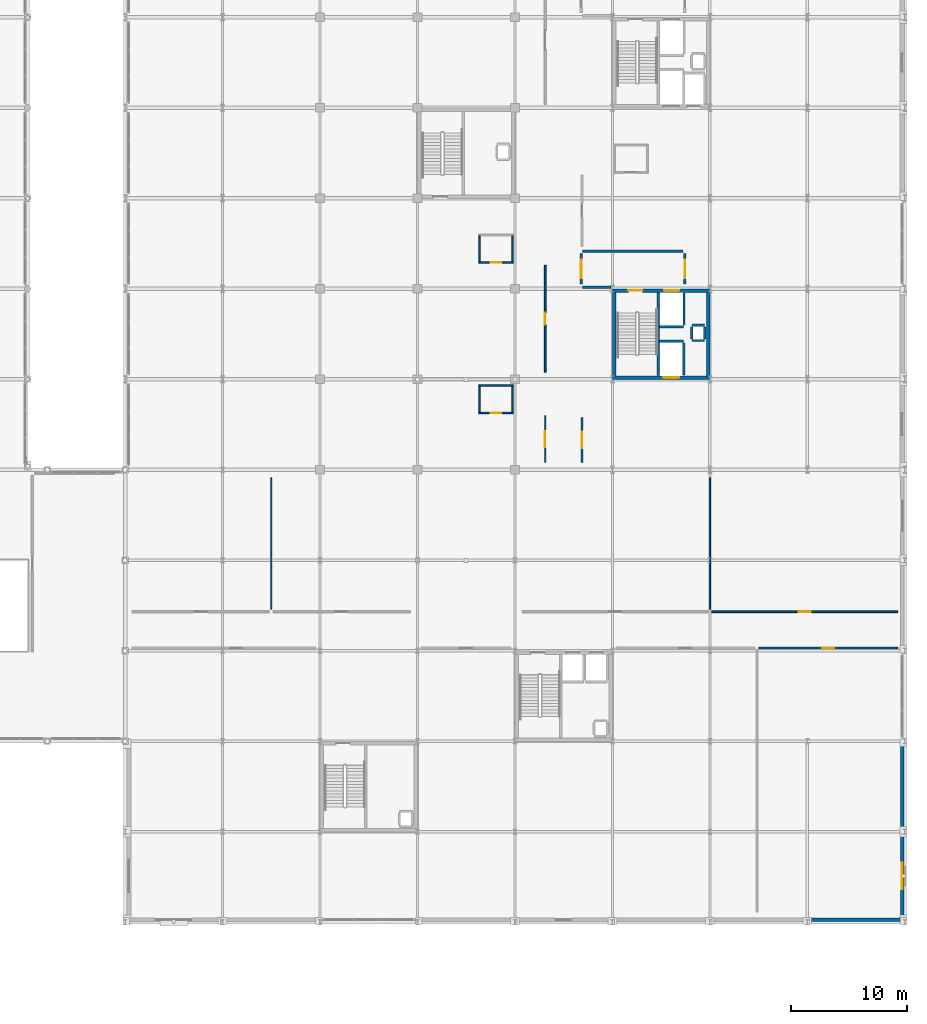
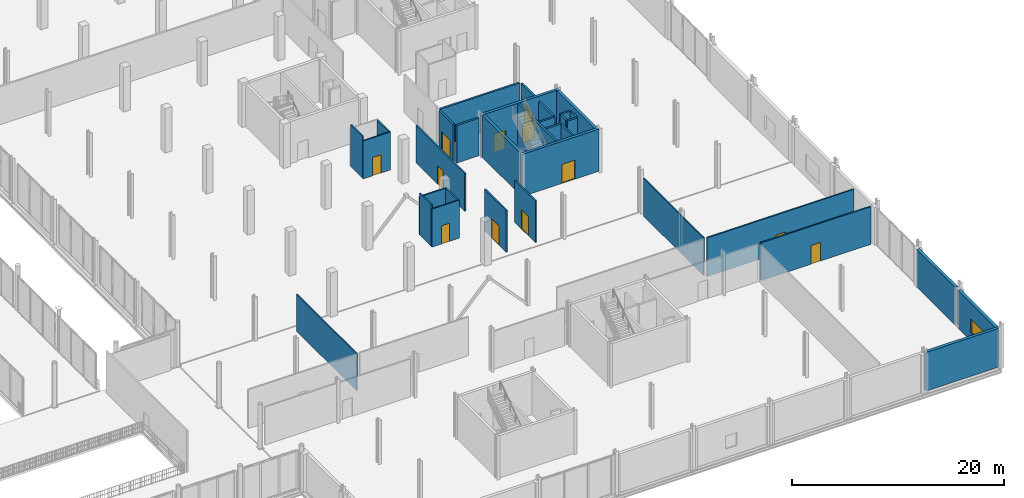
# One storey, part 81 of 105: 34 walls, 12 doors, 1 window, 13 openings.
"""IFC4 building model written with IfcOpenShell, lengths in metres."""

from ifc_helpers import new_model, si_unit, direction, frame, frame_2d, origin, place, context, subcontext, project, spatial, rectangle, extrude, material, layer, layer_set, type_object, element, fill, save


model = new_model("IFC4")

# Units and contexts
model_context = context("Model", 3, precision=1e-05, world=origin(), true_north=direction((0.0, 1.0)))
body_context = subcontext(model_context, "Body", "Model", "MODEL_VIEW")
ifc_project = project(units=[si_unit("LENGTHUNIT", "METRE"), si_unit("AREAUNIT", "SQUARE_METRE"), si_unit("VOLUMEUNIT", "CUBIC_METRE"), si_unit("PLANEANGLEUNIT", "RADIAN"), si_unit("MASSUNIT", "GRAM", prefix="KILO")], contexts=[model_context])

# Site, building, storey
site_placement = place(None, origin())
site = spatial("IfcSite", under=ifc_project, at=site_placement, CompositionType="ELEMENT")
building_placement = place(site_placement, origin())
building = spatial("IfcBuilding", under=site, at=building_placement, Name="Nabrawat Pavilion Hospital", CompositionType="ELEMENT")
storey_placement = place(building_placement, frame((0.0, 0.0, 5.10009765625)))
storey = spatial("IfcBuildingStorey", under=building, at=storey_placement, Name="L01", CompositionType="ELEMENT", Elevation=5.10009765625)

# Wall, opening, door
ifc_material_1 = material(Name="Gypsum Fireboard on Steel Stud", Category="steel")
ifc_layer_1 = layer(ifc_material_1, 0.14990234375, Name="Gypsum Fireboard on Steel Stud")
ifc_layer_set_1 = layer_set([ifc_layer_1], Name="Gypsum Fireboard on Steel Stud")
wall_type_1 = type_object("IfcWallType", Name="Clinical Corridor Smoke-Barrier Wall 150", PredefinedType="PARTITIONING", material=ifc_layer_set_1)
wall_1_placement = place(storey_placement, frame((180.610107421875, 23.635009765625, 0.0), z_axis=(0.0, 0.0, 1.0), x_axis=(1.0, 0.0, 0.0)))
wall_1 = element("IfcWall", 1, at=wall_1_placement, inside=storey, type_object=wall_type_1, Name="L01 Outpatient Clinic Dermatology Procedure Room L01-04 Front Partition", PredefinedType="PARTITIONING", context=body_context, shape_type="SweptSolid", body=[
    extrude(rectangle(XDim=11.969970703125, YDim=0.14990234375, at=frame_2d((5.98486328125, 0.0))), origin(), (0.0, 0.0, 1.0), 4.349853515625),
])
opening_1_placement = place(wall_1_placement, frame((5.4599609375, 0.0, 0.0)))
opening_1 = element("IfcOpeningElement", 2, at=opening_1_placement, cuts=wall_1, Name="Opening D-OPC-L", PredefinedType="OPENING", context=body_context, shape_type="SweptSolid", body=[
    extrude(rectangle(XDim=1.050048828125, YDim=2.14990234375, at=frame_2d((0.52490234375, 1.074951171875))), frame((0.0, 0.0849609375, 0.0), z_axis=(0.0, -1.0, 0.0), x_axis=(1.0, 0.0, 0.0)), (0.0, 0.0, 1.0), 0.169921875),
])
ifc_material_2 = material(Name="Stainless-Clad Acoustic Timber and Vision Glass", Category="wood")
door_type_1 = type_object("IfcDoorType", Name="Outpatient Clinic Consultation Door L 1050x2150", OperationType="NOTDEFINED", PredefinedType="DOOR", material=ifc_material_2)
door_1_placement = place(opening_1_placement, origin())
door_1 = element("IfcDoor", 3, at=door_1_placement, inside=storey, type_object=door_type_1, Name="Outpatient Clinic Dermatology Procedure Room L01-04 Door", OperationType="SINGLE_SWING_RIGHT", OverallHeight=2.14990234375, OverallWidth=1.050048828125, PredefinedType="DOOR", context=body_context, shape_type="SweptSolid", body=[
    extrude(rectangle(XDim=1.050048828125, YDim=2.14990234375, at=frame_2d((0.52490234375, 1.074951171875))), frame((0.0, 0.02490234375, 0.0), z_axis=(0.0, -1.0, 0.0), x_axis=(1.0, 0.0, 0.0)), (0.0, 0.0, 1.0), 0.050048828125),
])
fill(opening_1, door_1)

wall_2_placement = place(storey_placement, frame((176.56005859375, 26.764892578125, 0.0), z_axis=(0.0, 0.0, 1.0), x_axis=(1.0, 0.0, 0.0)))
wall_2 = element("IfcWall", 4, at=wall_2_placement, inside=storey, type_object=wall_type_1, Name="L01 Outpatient Clinic Paediatrics Room L01-08 Front Partition", PredefinedType="PARTITIONING", context=body_context, shape_type="SweptSolid", body=[
    extrude(rectangle(XDim=16.02001953125, YDim=0.14990234375, at=frame_2d((8.010009765625, 0.0))), origin(), (0.0, 0.0, 1.0), 4.449951171875),
])
opening_2_placement = place(wall_2_placement, frame((7.485107421875, 0.0, 0.0)))
opening_2 = element("IfcOpeningElement", 5, at=opening_2_placement, cuts=wall_2, Name="Opening D-OPC-L", PredefinedType="OPENING", context=body_context, shape_type="SweptSolid", body=[
    extrude(rectangle(XDim=1.050048828125, YDim=2.14990234375, at=frame_2d((0.52490234375, 1.074951171875))), frame((0.0, 0.0849609375, 0.0), z_axis=(0.0, -1.0, 0.0), x_axis=(1.0, 0.0, 0.0)), (0.0, 0.0, 1.0), 0.169921875),
])
door_2_placement = place(opening_2_placement, origin())
door_2 = element("IfcDoor", 6, at=door_2_placement, inside=storey, type_object=door_type_1, Name="Outpatient Clinic Paediatrics Room L01-08 Door", OperationType="SINGLE_SWING_RIGHT", OverallHeight=2.14990234375, OverallWidth=1.050048828125, PredefinedType="DOOR", context=body_context, shape_type="SweptSolid", body=[
    extrude(rectangle(XDim=1.050048828125, YDim=2.14990234375, at=frame_2d((0.52490234375, 1.074951171875))), frame((0.0, 0.02490234375, 0.0), z_axis=(0.0, -1.0, 0.0), x_axis=(1.0, 0.0, 0.0)), (0.0, 0.0, 1.0), 0.050048828125),
])
fill(opening_2, door_2)

wall_3_placement = place(storey_placement, frame((162.2099609375, 39.6201171875, 0.0), z_axis=(0.0, 0.0, 1.0), x_axis=(0.0, 1.0, 0.0)))
wall_3 = element("IfcWall", 7, at=wall_3_placement, inside=storey, type_object=wall_type_1, Name="L01 Inpatient Ward Maternity Postnatal Bedroom L01-01 Front Partition", PredefinedType="PARTITIONING", context=body_context, shape_type="SweptSolid", body=[
    extrude(rectangle(XDim=4.0498046875, YDim=0.14990234375, at=frame_2d((2.02490234375, 0.0))), origin(), (0.0, 0.0, 1.0), 4.81982421875),
])
opening_3_placement = place(wall_3_placement, frame((1.324951171875, 0.0, 0.0)))
opening_3 = element("IfcOpeningElement", 8, at=opening_3_placement, cuts=wall_3, Name="Opening D-BED", PredefinedType="OPENING", context=body_context, shape_type="SweptSolid", body=[
    extrude(rectangle(XDim=1.39990234375, YDim=2.199951171875, at=frame_2d((0.699951171875, 1.10009765625))), frame((0.0, 0.0849609375, 0.0), z_axis=(0.0, -1.0, 0.0), x_axis=(1.0, 0.0, 0.0)), (0.0, 0.0, 1.0), 0.169921875),
])
door_type_2 = type_object("IfcDoorType", Name="D-BED Inpatient Ward Leaf-and-a-Half Door 1400x2200", OperationType="NOTDEFINED", PredefinedType="DOOR", material=ifc_material_2)
door_3_placement = place(opening_3_placement, origin())
door_3 = element("IfcDoor", 9, at=door_3_placement, inside=storey, type_object=door_type_2, Name="Inpatient Ward Maternity Postnatal Bedroom L01-01 Door", OperationType="SINGLE_SWING_LEFT", OverallHeight=2.199951171875, OverallWidth=1.39990234375, PredefinedType="DOOR", context=body_context, shape_type="SweptSolid", body=[
    extrude(rectangle(XDim=1.39990234375, YDim=2.199951171875, at=frame_2d((0.699951171875, 1.10009765625))), frame((0.0, 0.02490234375, 0.0), z_axis=(0.0, -1.0, 0.0), x_axis=(1.0, 0.0, 0.0)), (0.0, 0.0, 1.0), 0.050048828125),
])
fill(opening_3, door_3)

wall_4_placement = place(storey_placement, frame((162.2099609375, 47.419921875, 0.0), z_axis=(0.0, 0.0, 1.0), x_axis=(0.0, 1.0, 0.0)))
wall_4 = element("IfcWall", 10, at=wall_4_placement, inside=storey, type_object=wall_type_1, Name="L01 Labour Delivery and Recovery Birthing Suite L01-02 Front Partition", PredefinedType="PARTITIONING", context=body_context, shape_type="SweptSolid", body=[
    extrude(rectangle(XDim=9.219970703125, YDim=0.14990234375, at=frame_2d((4.60986328125, 0.0))), origin(), (0.0, 0.0, 1.0), 4.329833984375),
])
opening_4_placement = place(wall_4_placement, frame((4.0849609375, 0.0, 0.0)))
opening_4 = element("IfcOpeningElement", 11, at=opening_4_placement, cuts=wall_4, Name="Opening D-OPC-R", PredefinedType="OPENING", context=body_context, shape_type="SweptSolid", body=[
    extrude(rectangle(XDim=1.050048828125, YDim=2.14990234375, at=frame_2d((0.52490234375, 1.074951171875))), frame((0.0, 0.0849609375, 0.0), z_axis=(0.0, -1.0, 0.0), x_axis=(1.0, 0.0, 0.0)), (0.0, 0.0, 1.0), 0.169921875),
])
door_type_3 = type_object("IfcDoorType", Name="Outpatient Clinic Consultation Door R 1050x2150", OperationType="NOTDEFINED", PredefinedType="DOOR", material=ifc_material_2)
door_4_placement = place(opening_4_placement, origin())
door_4 = element("IfcDoor", 12, at=door_4_placement, inside=storey, type_object=door_type_3, Name="Labour Delivery and Recovery Birthing Suite L01-02 Door", OperationType="SINGLE_SWING_LEFT", OverallHeight=2.14990234375, OverallWidth=1.050048828125, PredefinedType="DOOR", context=body_context, shape_type="SweptSolid", body=[
    extrude(rectangle(XDim=1.050048828125, YDim=2.14990234375, at=frame_2d((0.52490234375, 1.074951171875))), frame((0.0, 0.02490234375, 0.0), z_axis=(0.0, -1.0, 0.0), x_axis=(1.0, 0.0, 0.0)), (0.0, 0.0, 1.0), 0.050048828125),
])
fill(opening_4, door_4)

wall_5_placement = place(storey_placement, frame((165.389892578125, 39.6201171875, 0.0), z_axis=(0.0, 0.0, 1.0), x_axis=(0.0, 1.0, 0.0)))
wall_5 = element("IfcWall", 13, at=wall_5_placement, inside=storey, type_object=wall_type_1, Name="L01 Inpatient Ward Maternity Postnatal Bedroom L01-07 Front Partition", PredefinedType="PARTITIONING", context=body_context, shape_type="SweptSolid", body=[
    extrude(rectangle(XDim=3.8798828125, YDim=0.14990234375, at=frame_2d((1.93994140625, 0.0))), origin(), (0.0, 0.0, 1.0), 4.81982421875),
])
opening_5_placement = place(wall_5_placement, frame((1.239990234375, 0.0, 0.0)))
opening_5 = element("IfcOpeningElement", 14, at=opening_5_placement, cuts=wall_5, Name="Opening D-BED", PredefinedType="OPENING", context=body_context, shape_type="SweptSolid", body=[
    extrude(rectangle(XDim=1.39990234375, YDim=2.199951171875, at=frame_2d((0.699951171875, 1.10009765625))), frame((0.0, 0.0849609375, 0.0), z_axis=(0.0, -1.0, 0.0), x_axis=(1.0, 0.0, 0.0)), (0.0, 0.0, 1.0), 0.169921875),
])
door_5_placement = place(opening_5_placement, origin())
door_5 = element("IfcDoor", 15, at=door_5_placement, inside=storey, type_object=door_type_2, Name="Inpatient Ward Maternity Postnatal Bedroom L01-07 Door", OperationType="SINGLE_SWING_LEFT", OverallHeight=2.199951171875, OverallWidth=1.39990234375, PredefinedType="DOOR", context=body_context, shape_type="SweptSolid", body=[
    extrude(rectangle(XDim=1.39990234375, YDim=2.199951171875, at=frame_2d((0.699951171875, 1.10009765625))), frame((0.0, 0.02490234375, 0.0), z_axis=(0.0, -1.0, 0.0), x_axis=(1.0, 0.0, 0.0)), (0.0, 0.0, 1.0), 0.050048828125),
])
fill(opening_5, door_5)

# Wall
ifc_material_3 = material(Name="Precast concrete C40/50", Category="concrete")
ifc_layer_2 = layer(ifc_material_3, 0.320068359375, Name="Precast concrete C40/50")
ifc_layer_set_2 = layer_set([ifc_layer_2], Name="Precast concrete C40/50")
wall_type_2 = type_object("IfcWallType", Name="Deep-Reveal Precast Facade Wall 320", PredefinedType="SOLIDWALL", material=ifc_layer_set_2)
wall_6_placement = place(storey_placement, frame((185.0, 0.219970703125, 0.0), z_axis=(0.0, 0.0, 1.0), x_axis=(1.0, 0.0, 0.0)))
element("IfcWall", 16, at=wall_6_placement, inside=storey, type_object=wall_type_2, Name="L01 Deep-Reveal Precast Facade Wall 320 212", PredefinedType="SOLIDWALL", context=body_context, shape_type="SweptSolid", body=[
    extrude(rectangle(XDim=8.0, YDim=0.320068359375, at=frame_2d((4.0, 0.0))), origin(), (0.0, 0.0, 1.0), 4.449951171875),
])

# Wall, opening, window
wall_7_placement = place(storey_placement, frame((192.97998046875, 0.43994140625, 0.0), z_axis=(0.0, 0.0, 1.0), x_axis=(0.0, 1.0, 0.0)))
wall_7 = element("IfcWall", 17, at=wall_7_placement, inside=storey, type_object=wall_type_2, Name="L01 Deep-Reveal Precast Facade Wall 320 221", PredefinedType="SOLIDWALL", context=body_context, shape_type="SweptSolid", body=[
    extrude(rectangle(XDim=7.0849609375, YDim=0.320068359375, at=frame_2d((3.54248046875, 0.0))), origin(), (0.0, 0.0, 1.0), 4.349853515625),
])
opening_6_placement = place(wall_7_placement, frame((2.392578125, 0.0, 0.949951171875)))
opening_6 = element("IfcOpeningElement", 18, at=opening_6_placement, cuts=wall_7, Name="Opening WN-21", PredefinedType="OPENING", context=body_context, shape_type="SweptSolid", body=[
    extrude(rectangle(XDim=2.300048828125, YDim=1.550048828125, at=frame_2d((1.14990234375, 0.77490234375))), frame((0.0, 0.169921875, 0.0), z_axis=(0.0, -1.0, 0.0), x_axis=(1.0, 0.0, 0.0)), (0.0, 0.0, 1.0), 0.340087890625),
])
ifc_material_4 = material(Name="Thermally Broken Aluminium and Solar Glass", Category="aluminium")
window_type = type_object("IfcWindowType", Name="Sunken Forecourt Metro Window 2300x1550", PartitioningType="SINGLE_PANEL", PredefinedType="WINDOW", material=ifc_material_4)
window_placement = place(opening_6_placement, origin())
window = element("IfcWindow", 19, at=window_placement, inside=storey, type_object=window_type, Name="L01 Sunken Forecourt Metro Window 2300x1550 085", OverallHeight=1.550048828125, OverallWidth=2.300048828125, PartitioningType="SINGLE_PANEL", PredefinedType="WINDOW", context=body_context, shape_type="SweptSolid", body=[
    extrude(rectangle(XDim=2.300048828125, YDim=1.550048828125, at=frame_2d((1.14990234375, 0.77490234375))), frame((0.0, 0.030029296875, 0.0), z_axis=(0.0, -1.0, 0.0), x_axis=(1.0, 0.0, 0.0)), (0.0, 0.0, 1.0), 0.06005859375),
])
fill(opening_6, window)

# Wall
wall_8_placement = place(storey_placement, frame((192.97998046875, 8.074951171875, 0.0), z_axis=(0.0, 0.0, 1.0), x_axis=(0.0, 1.0, 0.0)))
element("IfcWall", 20, at=wall_8_placement, inside=storey, type_object=wall_type_2, Name="L01 Deep-Reveal Precast Facade Wall 320 222", PredefinedType="SOLIDWALL", context=body_context, shape_type="SweptSolid", body=[
    extrude(rectangle(XDim=7.25, YDim=0.320068359375, at=frame_2d((3.625, 0.0))), origin(), (0.0, 0.0, 1.0), 4.349853515625),
])

# Wall, opening, door
ifc_material_5 = material(Name="Cement Board on Steel Stud", Category="steel")
ifc_layer_3 = layer(ifc_material_5, 0.1298828125, Name="Cement Board on Steel Stud")
ifc_layer_set_3 = layer_set([ifc_layer_3], Name="Cement Board on Steel Stud")
wall_type_3 = type_object("IfcWallType", Name="En-Suite Moisture-Resistant Partition 130", PredefinedType="PARTITIONING", material=ifc_layer_set_3)
wall_9_placement = place(storey_placement, frame((156.4951171875, 43.909912109375, 0.0), z_axis=(0.0, 0.0, 1.0), x_axis=(1.0, 0.0, 0.0)))
wall_9 = element("IfcWall", 21, at=wall_9_placement, inside=storey, type_object=wall_type_3, Name="L01 En-Suite Bathroom WRD-MAT-01 Front Partition", PredefinedType="PARTITIONING", context=body_context, shape_type="SweptSolid", body=[
    extrude(rectangle(XDim=2.97998046875, YDim=0.1298828125, at=frame_2d((1.489990234375, 0.0))), origin(), (0.0, 0.0, 1.0), 4.3798828125),
])
opening_7_placement = place(wall_9_placement, frame((1.0400390625, 0.0, 0.0)))
opening_7 = element("IfcOpeningElement", 22, at=opening_7_placement, cuts=wall_9, Name="Opening D-ENS-L", PredefinedType="OPENING", context=body_context, shape_type="SweptSolid", body=[
    extrude(rectangle(XDim=0.89990234375, YDim=2.10009765625, at=frame_2d((0.449951171875, 1.050048828125))), frame((0.0, 0.074951171875, 0.0), z_axis=(0.0, -1.0, 0.0), x_axis=(1.0, 0.0, 0.0)), (0.0, 0.0, 1.0), 0.14990234375),
])
door_type_4 = type_object("IfcDoorType", Name="En-Suite Bathroom Outward Door L 900x2100", OperationType="NOTDEFINED", PredefinedType="DOOR", material=ifc_material_2)
door_6_placement = place(opening_7_placement, origin())
door_6 = element("IfcDoor", 23, at=door_6_placement, inside=storey, type_object=door_type_4, Name="En-Suite Bathroom WRD-MAT-01 Door", OperationType="SINGLE_SWING_RIGHT", OverallHeight=2.10009765625, OverallWidth=0.89990234375, PredefinedType="DOOR", context=body_context, shape_type="SweptSolid", body=[
    extrude(rectangle(XDim=0.89990234375, YDim=2.10009765625, at=frame_2d((0.449951171875, 1.050048828125))), frame((0.0, 0.02490234375, 0.0), z_axis=(0.0, -1.0, 0.0), x_axis=(1.0, 0.0, 0.0)), (0.0, 0.0, 1.0), 0.050048828125),
])
fill(opening_7, door_6)

# Walls
wall_10_placement = place(storey_placement, frame((156.4951171875, 46.260009765625, 0.0), z_axis=(0.0, 0.0, 1.0), x_axis=(1.0, 0.0, 0.0)))
element("IfcWall", 24, at=wall_10_placement, inside=storey, type_object=wall_type_3, Name="L01 En-Suite Bathroom WRD-MAT-01 North Partition", PredefinedType="PARTITIONING", context=body_context, shape_type="SweptSolid", body=[
    extrude(rectangle(XDim=2.97998046875, YDim=0.1298828125, at=frame_2d((1.489990234375, 0.0))), origin(), (0.0, 0.0, 1.0), 4.3798828125),
])
wall_11_placement = place(storey_placement, frame((156.56005859375, 43.97509765625, 0.0), z_axis=(0.0, 0.0, 1.0), x_axis=(0.0, 1.0, 0.0)))
element("IfcWall", 25, at=wall_11_placement, inside=storey, type_object=wall_type_3, Name="L01 En-Suite Bathroom WRD-MAT-01 West Partition", PredefinedType="PARTITIONING", context=body_context, shape_type="SweptSolid", body=[
    extrude(rectangle(XDim=2.219970703125, YDim=0.1298828125, at=frame_2d((1.10986328125, 0.0))), origin(), (0.0, 0.0, 1.0), 4.81982421875),
])
wall_12_placement = place(storey_placement, frame((159.409912109375, 43.97509765625, 0.0), z_axis=(0.0, 0.0, 1.0), x_axis=(0.0, 1.0, 0.0)))
element("IfcWall", 26, at=wall_12_placement, inside=storey, type_object=wall_type_3, Name="L01 En-Suite Bathroom WRD-MAT-01 East Partition", PredefinedType="PARTITIONING", context=body_context, shape_type="SweptSolid", body=[
    extrude(rectangle(XDim=2.219970703125, YDim=0.1298828125, at=frame_2d((1.10986328125, 0.0))), origin(), (0.0, 0.0, 1.0), 4.3798828125),
])

# Wall, opening, door
wall_13_placement = place(storey_placement, frame((156.4951171875, 56.8798828125, 0.0), z_axis=(0.0, 0.0, 1.0), x_axis=(1.0, 0.0, 0.0)))
wall_13 = element("IfcWall", 27, at=wall_13_placement, inside=storey, type_object=wall_type_3, Name="L01 En-Suite Bathroom LDR-01-02 Front Partition", PredefinedType="PARTITIONING", context=body_context, shape_type="SweptSolid", body=[
    extrude(rectangle(XDim=2.97998046875, YDim=0.1298828125, at=frame_2d((1.489990234375, 0.0))), origin(), (0.0, 0.0, 1.0), 4.3798828125),
])
opening_8_placement = place(wall_13_placement, frame((1.0400390625, 0.0, 0.0)))
opening_8 = element("IfcOpeningElement", 28, at=opening_8_placement, cuts=wall_13, Name="Opening D-ENS-L", PredefinedType="OPENING", context=body_context, shape_type="SweptSolid", body=[
    extrude(rectangle(XDim=0.89990234375, YDim=2.10009765625, at=frame_2d((0.449951171875, 1.050048828125))), frame((0.0, 0.074951171875, 0.0), z_axis=(0.0, -1.0, 0.0), x_axis=(1.0, 0.0, 0.0)), (0.0, 0.0, 1.0), 0.14990234375),
])
door_7_placement = place(opening_8_placement, origin())
door_7 = element("IfcDoor", 29, at=door_7_placement, inside=storey, type_object=door_type_4, Name="En-Suite Bathroom LDR-01-02 Door", OperationType="SINGLE_SWING_RIGHT", OverallHeight=2.10009765625, OverallWidth=0.89990234375, PredefinedType="DOOR", context=body_context, shape_type="SweptSolid", body=[
    extrude(rectangle(XDim=0.89990234375, YDim=2.10009765625, at=frame_2d((0.449951171875, 1.050048828125))), frame((0.0, 0.02490234375, 0.0), z_axis=(0.0, -1.0, 0.0), x_axis=(1.0, 0.0, 0.0)), (0.0, 0.0, 1.0), 0.050048828125),
])
fill(opening_8, door_7)

# Walls
wall_14_placement = place(storey_placement, frame((156.56005859375, 56.945068359375, 0.0), z_axis=(0.0, 0.0, 1.0), x_axis=(0.0, 1.0, 0.0)))
element("IfcWall", 30, at=wall_14_placement, inside=storey, type_object=wall_type_3, Name="L01 En-Suite Bathroom LDR-01-02 West Partition", PredefinedType="PARTITIONING", context=body_context, shape_type="SweptSolid", body=[
    extrude(rectangle(XDim=2.219970703125, YDim=0.1298828125, at=frame_2d((1.10986328125, 0.0))), origin(), (0.0, 0.0, 1.0), 4.81982421875),
])
wall_15_placement = place(storey_placement, frame((159.409912109375, 56.945068359375, 0.0), z_axis=(0.0, 0.0, 1.0), x_axis=(0.0, 1.0, 0.0)))
element("IfcWall", 31, at=wall_15_placement, inside=storey, type_object=wall_type_3, Name="L01 En-Suite Bathroom LDR-01-02 East Partition", PredefinedType="PARTITIONING", context=body_context, shape_type="SweptSolid", body=[
    extrude(rectangle(XDim=2.219970703125, YDim=0.1298828125, at=frame_2d((1.10986328125, 0.0))), origin(), (0.0, 0.0, 1.0), 4.3798828125),
])
ifc_material_6 = material(Name="Concrete C35/45", Category="concrete")
ifc_layer_4 = layer(ifc_material_6, 0.199951171875, Name="Concrete C35/45")
ifc_layer_set_4 = layer_set([ifc_layer_4], Name="Concrete C35/45")
wall_type_4 = type_object("IfcWallType", Name="Firefighting Lobby Compartment Wall 200", PredefinedType="PARTITIONING", material=ifc_layer_set_4)
wall_16_placement = place(storey_placement, frame((165.43994140625, 54.75, 0.0), z_axis=(0.0, 0.0, 1.0), x_axis=(1.0, 0.0, 0.0)))
element("IfcWall", 32, at=wall_16_placement, inside=storey, type_object=wall_type_4, Name="L01 CORE-5 Firefighting Lobby South Return Wall", PredefinedType="PARTITIONING", context=body_context, shape_type="SweptSolid", body=[
    extrude(rectangle(XDim=2.43994140625, YDim=0.199951171875, at=frame_2d((1.219970703125, 0.0))), origin(), (0.0, 0.0, 1.0), 4.329833984375),
])
wall_17_placement = place(storey_placement, frame((165.43994140625, 57.85009765625, 0.0), z_axis=(0.0, 0.0, 1.0), x_axis=(1.0, 0.0, 0.0)))
element("IfcWall", 33, at=wall_17_placement, inside=storey, type_object=wall_type_4, Name="L01 CORE-5 Firefighting Lobby North Compartment Wall", PredefinedType="PARTITIONING", context=body_context, shape_type="SweptSolid", body=[
    extrude(rectangle(XDim=8.66015625, YDim=0.199951171875, at=frame_2d((4.330078125, 0.0))), origin(), (0.0, 0.0, 1.0), 4.329833984375),
])

# Wall, opening, door
wall_18_placement = place(storey_placement, frame((165.320068359375, 55.0, 0.0), z_axis=(0.0, 0.0, 1.0), x_axis=(0.0, 1.0, 0.0)))
wall_18 = element("IfcWall", 34, at=wall_18_placement, inside=storey, type_object=wall_type_4, Name="L01 CORE-5 Firefighting Lobby West Compartment Wall", PredefinedType="PARTITIONING", context=body_context, shape_type="SweptSolid", body=[
    extrude(rectangle(XDim=2.64990234375, YDim=0.199951171875, at=frame_2d((1.324951171875, 0.0))), origin(), (0.0, 0.0, 1.0), 4.329833984375),
])
opening_9_placement = place(wall_18_placement, frame((0.52490234375, 0.0, 0.0)))
opening_9 = element("IfcOpeningElement", 35, at=opening_9_placement, cuts=wall_18, Name="Opening D-FFL", PredefinedType="OPENING", context=body_context, shape_type="SweptSolid", body=[
    extrude(rectangle(XDim=1.60009765625, YDim=2.199951171875, at=frame_2d((0.800048828125, 1.10009765625))), frame((0.0, 0.10986328125, 0.0), z_axis=(0.0, -1.0, 0.0), x_axis=(1.0, 0.0, 0.0)), (0.0, 0.0, 1.0), 0.219970703125),
])
door_type_5 = type_object("IfcDoorType", Name="D-FFL Firefighting Lobby Double Smoke Door 1600x2200", OperationType="NOTDEFINED", PredefinedType="DOOR", material=ifc_material_2)
door_8_placement = place(opening_9_placement, origin())
door_8 = element("IfcDoor", 36, at=door_8_placement, inside=storey, type_object=door_type_5, Name="L01 CORE-5 Firefighting Lobby West Smoke Door", OperationType="DOUBLE_DOOR_SINGLE_SWING", OverallHeight=2.199951171875, OverallWidth=1.60009765625, PredefinedType="DOOR", context=body_context, shape_type="SweptSolid", body=[
    extrude(rectangle(XDim=1.60009765625, YDim=2.199951171875, at=frame_2d((0.800048828125, 1.10009765625))), frame((0.0, 0.02490234375, 0.0), z_axis=(0.0, -1.0, 0.0), x_axis=(1.0, 0.0, 0.0)), (0.0, 0.0, 1.0), 0.050048828125),
])
fill(opening_9, door_8)

wall_19_placement = place(storey_placement, frame((174.25, 55.0, 0.0), z_axis=(0.0, 0.0, 1.0), x_axis=(0.0, 1.0, 0.0)))
wall_19 = element("IfcWall", 37, at=wall_19_placement, inside=storey, type_object=wall_type_4, Name="L01 CORE-5 Firefighting Lobby East Compartment Wall", PredefinedType="PARTITIONING", context=body_context, shape_type="SweptSolid", body=[
    extrude(rectangle(XDim=2.64990234375, YDim=0.199951171875, at=frame_2d((1.324951171875, 0.0))), origin(), (0.0, 0.0, 1.0), 4.329833984375),
])
opening_10_placement = place(wall_19_placement, frame((0.52490234375, 0.0, 0.0)))
opening_10 = element("IfcOpeningElement", 38, at=opening_10_placement, cuts=wall_19, Name="Opening D-FFL", PredefinedType="OPENING", context=body_context, shape_type="SweptSolid", body=[
    extrude(rectangle(XDim=1.60009765625, YDim=2.199951171875, at=frame_2d((0.800048828125, 1.10009765625))), frame((0.0, 0.10986328125, 0.0), z_axis=(0.0, -1.0, 0.0), x_axis=(1.0, 0.0, 0.0)), (0.0, 0.0, 1.0), 0.219970703125),
])
door_9_placement = place(opening_10_placement, origin())
door_9 = element("IfcDoor", 39, at=door_9_placement, inside=storey, type_object=door_type_5, Name="L01 CORE-5 Firefighting Lobby East Smoke Door", OperationType="DOUBLE_DOOR_SINGLE_SWING", OverallHeight=2.199951171875, OverallWidth=1.60009765625, PredefinedType="DOOR", context=body_context, shape_type="SweptSolid", body=[
    extrude(rectangle(XDim=1.60009765625, YDim=2.199951171875, at=frame_2d((0.800048828125, 1.10009765625))), frame((0.0, 0.02490234375, 0.0), z_axis=(0.0, -1.0, 0.0), x_axis=(1.0, 0.0, 0.0)), (0.0, 0.0, 1.0), 0.050048828125),
])
fill(opening_10, door_9)

# Walls
ifc_layer_5 = layer(ifc_material_6, 0.199951171875, Name="Concrete C35/45")
ifc_layer_set_5 = layer_set([ifc_layer_5], Name="Concrete C35/45")
wall_type_5 = type_object("IfcWallType", Name="Lift and Riser Fire Shaft Wall 200", PredefinedType="PARTITIONING", material=ifc_layer_set_5)
wall_20_placement = place(storey_placement, frame((171.949951171875, 47.1201171875, 0.0), z_axis=(0.0, 0.0, 1.0), x_axis=(0.0, 1.0, 0.0)))
element("IfcWall", 40, at=wall_20_placement, inside=storey, type_object=wall_type_5, Name="L01 CORE-5 Stair-Lift Dividing Shear Wall", PredefinedType="SHEAR", context=body_context, shape_type="SweptSolid", body=[
    extrude(rectangle(XDim=7.159912109375, YDim=0.199951171875, at=frame_2d((3.580078125, 0.0))), origin(), (0.0, 0.0, 1.0), 4.849853515625),
])
for number, where, z_axis, x_axis, name in (
    (41, (174.85009765625, 50.14990234375, 0.0), (0.0, 0.0, 1.0), (1.0, 0.0, 0.0), "L01 CORE-5 MEP Riser Shaft Wall S"),
    (42, (174.85009765625, 51.449951171875, 0.0), (0.0, 0.0, 1.0), (1.0, 0.0, 0.0), "L01 CORE-5 MEP Riser Shaft Wall N"),
):
    element("IfcWall", number, at=place(storey_placement, frame(where, z_axis=z_axis, x_axis=x_axis)), inside=storey, type_object=wall_type_5, Name=name, PredefinedType="PARTITIONING", context=body_context, shape_type="SweptSolid", body=[
        extrude(rectangle(XDim=1.099853515625, YDim=0.199951171875, at=frame_2d((0.5498046875, 0.0))), origin(), (0.0, 0.0, 1.0), 4.329833984375),
    ])
for number, where, z_axis, x_axis, name in (
    (43, (174.85009765625, 50.27001953125, 0.0), (0.0, 0.0, 1.0), (0.0, 1.0, 0.0), "L01 CORE-5 MEP Riser Shaft Wall W"),
    (44, (175.949951171875, 50.27001953125, 0.0), (0.0, 0.0, 1.0), (0.0, 1.0, 0.0), "L01 CORE-5 MEP Riser Shaft Wall E"),
):
    element("IfcWall", number, at=place(storey_placement, frame(where, z_axis=z_axis, x_axis=x_axis)), inside=storey, type_object=wall_type_5, Name=name, PredefinedType="PARTITIONING", context=body_context, shape_type="SweptSolid", body=[
        extrude(rectangle(XDim=1.06005859375, YDim=0.199951171875, at=frame_2d((0.530029296875, 0.0))), origin(), (0.0, 0.0, 1.0), 4.329833984375),
    ])
wall_21_placement = place(storey_placement, frame((174.179931640625, 51.47998046875, 0.0), z_axis=(0.0, 0.0, 1.0), x_axis=(0.0, 1.0, 0.0)))
element("IfcWall", 45, at=wall_21_placement, inside=storey, type_object=wall_type_5, Name="L01 Lift LF-01 Shaft East Wall", PredefinedType="PARTITIONING", context=body_context, shape_type="SweptSolid", body=[
    extrude(rectangle(XDim=2.739990234375, YDim=0.199951171875, at=frame_2d((1.3701171875, 0.0))), origin(), (0.0, 0.0, 1.0), 4.329833984375),
])
wall_22_placement = place(storey_placement, frame((172.050048828125, 51.320068359375, 0.0), z_axis=(0.0, 0.0, 1.0), x_axis=(1.0, 0.0, 0.0)))
element("IfcWall", 46, at=wall_22_placement, inside=storey, type_object=wall_type_5, Name="L01 Lift LF-01 Shaft Back Wall", PredefinedType="PARTITIONING", context=body_context, shape_type="SweptSolid", body=[
    extrude(rectangle(XDim=2.099853515625, YDim=0.199951171875, at=frame_2d((1.0498046875, 0.0))), origin(), (0.0, 0.0, 1.0), 4.329833984375),
])
wall_23_placement = place(storey_placement, frame((174.139892578125, 47.179931640625, 0.0), z_axis=(0.0, 0.0, 1.0), x_axis=(0.0, 1.0, 0.0)))
element("IfcWall", 47, at=wall_23_placement, inside=storey, type_object=wall_type_5, Name="L01 Lift LB-03 Shaft East Wall", PredefinedType="PARTITIONING", context=body_context, shape_type="SweptSolid", body=[
    extrude(rectangle(XDim=2.739990234375, YDim=0.199951171875, at=frame_2d((1.3701171875, 0.0))), origin(), (0.0, 0.0, 1.0), 4.329833984375),
])
wall_24_placement = place(storey_placement, frame((172.050048828125, 50.080078125, 0.0), z_axis=(0.0, 0.0, 1.0), x_axis=(1.0, 0.0, 0.0)))
element("IfcWall", 48, at=wall_24_placement, inside=storey, type_object=wall_type_5, Name="L01 Lift LB-03 Shaft Back Wall", PredefinedType="PARTITIONING", context=body_context, shape_type="SweptSolid", body=[
    extrude(rectangle(XDim=2.06005859375, YDim=0.199951171875, at=frame_2d((1.030029296875, 0.0))), origin(), (0.0, 0.0, 1.0), 4.329833984375),
])
ifc_material_7 = material(Name="Gypsum Plasterboard on Stud", Category="gypsum")
ifc_layer_6 = layer(ifc_material_7, 0.1201171875, Name="Gypsum Plasterboard on Stud")
ifc_layer_set_6 = layer_set([ifc_layer_6], Name="Gypsum Plasterboard on Stud")
wall_type_6 = type_object("IfcWallType", Name="Outpatient Consultation Partition 120", PredefinedType="PARTITIONING", material=ifc_layer_set_6)
wall_25_placement = place(storey_placement, frame((138.60009765625, 26.985107421875, 0.0), z_axis=(0.0, 0.0, 1.0), x_axis=(0.0, 1.0, 0.0)))
element("IfcWall", 49, at=wall_25_placement, inside=storey, type_object=wall_type_6, Name="L01 Outpatient Clinic Neurology EMG Room L01-05 Dividing Partition", PredefinedType="PARTITIONING", context=body_context, shape_type="SweptSolid", body=[
    extrude(rectangle(XDim=11.324951171875, YDim=0.1201171875, at=frame_2d((5.66259765625, 0.0))), origin(), (0.0, 0.0, 1.0), 4.25),
])
wall_26_placement = place(storey_placement, frame((176.39990234375, 26.985107421875, 0.0), z_axis=(0.0, 0.0, 1.0), x_axis=(0.0, 1.0, 0.0)))
element("IfcWall", 50, at=wall_26_placement, inside=storey, type_object=wall_type_6, Name="L01 Outpatient Clinic Surgical Follow-Up Room L01-07 Dividing Partition", PredefinedType="PARTITIONING", context=body_context, shape_type="SweptSolid", body=[
    extrude(rectangle(XDim=11.324951171875, YDim=0.1201171875, at=frame_2d((5.66259765625, 0.0))), origin(), (0.0, 0.0, 1.0), 4.349853515625),
])

# Wall, opening, door
ifc_material_8 = material(Name="Concrete C40/50", Category="concrete")
ifc_layer_7 = layer(ifc_material_8, 0.300048828125, Name="Concrete C40/50")
ifc_layer_set_7 = layer_set([ifc_layer_7], Name="Concrete C40/50")
wall_type_7 = type_object("IfcWallType", Name="Reinforced Concrete Core Shear Wall 300", PredefinedType="SHEAR", material=ifc_layer_set_7)
wall_27_placement = place(storey_placement, frame((168.0, 46.949951171875, 0.0), z_axis=(0.0, 0.0, 1.0), x_axis=(1.0, 0.0, 0.0)))
wall_27 = element("IfcWall", 51, at=wall_27_placement, inside=storey, type_object=wall_type_7, Name="L01 CORE-5 South Core Shear Wall", PredefinedType="SHEAR", context=body_context, shape_type="SweptSolid", body=[
    extrude(rectangle(XDim=8.39990234375, YDim=0.300048828125, at=frame_2d((4.199951171875, 0.0))), origin(), (0.0, 0.0, 1.0), 4.849853515625),
])
opening_11_placement = place(wall_27_placement, frame((4.3798828125, 0.0, 0.0)))
opening_11 = element("IfcOpeningElement", 52, at=opening_11_placement, cuts=wall_27, Name="Opening LD-LB-03", PredefinedType="OPENING", context=body_context, shape_type="SweptSolid", body=[
    extrude(rectangle(XDim=1.39990234375, YDim=2.199951171875, at=frame_2d((0.699951171875, 1.10009765625))), frame((0.0, 0.16015625, 0.0), z_axis=(0.0, -1.0, 0.0), x_axis=(1.0, 0.0, 0.0)), (0.0, 0.0, 1.0), 0.320068359375),
])
door_type_6 = type_object("IfcDoorType", Name="Hospital Bed Lift Sliding Landing Door 1400x2200", OperationType="DOUBLE_DOOR_SLIDING", PredefinedType="DOOR", material=ifc_material_2)
door_10_placement = place(opening_11_placement, origin())
door_10 = element("IfcDoor", 53, at=door_10_placement, inside=storey, type_object=door_type_6, Name="L01 Lift LB-03 Sliding Landing Door", OperationType="DOUBLE_DOOR_SLIDING", OverallHeight=2.199951171875, OverallWidth=1.39990234375, PredefinedType="DOOR", context=body_context, shape_type="SweptSolid", body=[
    extrude(rectangle(XDim=1.39990234375, YDim=2.199951171875, at=frame_2d((0.699951171875, 1.10009765625))), frame((0.0, 0.02490234375, 0.0), z_axis=(0.0, -1.0, 0.0), x_axis=(1.0, 0.0, 0.0)), (0.0, 0.0, 1.0), 0.050048828125),
])
fill(opening_11, door_10)

# Wall, openings, doors
wall_28_placement = place(storey_placement, frame((168.0, 54.449951171875, 0.0), z_axis=(0.0, 0.0, 1.0), x_axis=(1.0, 0.0, 0.0)))
wall_28 = element("IfcWall", 54, at=wall_28_placement, inside=storey, type_object=wall_type_7, Name="L01 CORE-5 North Core Shear Wall", PredefinedType="SHEAR", context=body_context, shape_type="SweptSolid", body=[
    extrude(rectangle(XDim=8.39990234375, YDim=0.300048828125, at=frame_2d((4.199951171875, 0.0))), origin(), (0.0, 0.0, 1.0), 4.849853515625),
])
opening_12_placement = place(wall_28_placement, frame((1.3798828125, 0.0, 0.0)))
opening_12 = element("IfcOpeningElement", 55, at=opening_12_placement, cuts=wall_28, Name="Opening D-STAIR", PredefinedType="OPENING", context=body_context, shape_type="SweptSolid", body=[
    extrude(rectangle(XDim=1.199951171875, YDim=2.14990234375, at=frame_2d((0.60009765625, 1.074951171875))), frame((0.0, 0.16015625, 0.0), z_axis=(0.0, -1.0, 0.0), x_axis=(1.0, 0.0, 0.0)), (0.0, 0.0, 1.0), 0.320068359375),
])
opening_13_placement = place(wall_28_placement, frame((4.449951171875, 0.0, 0.0)))
opening_13 = element("IfcOpeningElement", 56, at=opening_13_placement, cuts=wall_28, Name="Opening LD-LF-01", PredefinedType="OPENING", context=body_context, shape_type="SweptSolid", body=[
    extrude(rectangle(XDim=1.300048828125, YDim=2.199951171875, at=frame_2d((0.64990234375, 1.10009765625))), frame((0.0, 0.16015625, 0.0), z_axis=(0.0, -1.0, 0.0), x_axis=(1.0, 0.0, 0.0)), (0.0, 0.0, 1.0), 0.320068359375),
])
door_type_7 = type_object("IfcDoorType", Name="D-STAIR Exit Stair Fire Door 1200x2150", OperationType="NOTDEFINED", PredefinedType="DOOR", material=ifc_material_2)
door_11_placement = place(opening_12_placement, origin())
door_11 = element("IfcDoor", 57, at=door_11_placement, inside=storey, type_object=door_type_7, Name="L01 ST-05 Fire Exit Stair Door", OperationType="SINGLE_SWING_LEFT", OverallHeight=2.14990234375, OverallWidth=1.199951171875, PredefinedType="DOOR", context=body_context, shape_type="SweptSolid", body=[
    extrude(rectangle(XDim=1.199951171875, YDim=2.14990234375, at=frame_2d((0.60009765625, 1.074951171875))), frame((0.0, 0.02490234375, 0.0), z_axis=(0.0, -1.0, 0.0), x_axis=(1.0, 0.0, 0.0)), (0.0, 0.0, 1.0), 0.050048828125),
])
fill(opening_12, door_11)
door_type_8 = type_object("IfcDoorType", Name="Firefighting Lift Sliding Landing Door 1300x2200", OperationType="DOUBLE_DOOR_SLIDING", PredefinedType="DOOR", material=ifc_material_2)
door_12_placement = place(opening_13_placement, origin())
door_12 = element("IfcDoor", 58, at=door_12_placement, inside=storey, type_object=door_type_8, Name="L01 Lift LF-01 Sliding Landing Door", OperationType="DOUBLE_DOOR_SLIDING", OverallHeight=2.199951171875, OverallWidth=1.300048828125, PredefinedType="DOOR", context=body_context, shape_type="SweptSolid", body=[
    extrude(rectangle(XDim=1.300048828125, YDim=2.199951171875, at=frame_2d((0.64990234375, 1.10009765625))), frame((0.0, 0.02490234375, 0.0), z_axis=(0.0, -1.0, 0.0), x_axis=(1.0, 0.0, 0.0)), (0.0, 0.0, 1.0), 0.050048828125),
])
fill(opening_13, door_12)

# Walls
for number, where, z_axis, x_axis, name in (
    (59, (168.14990234375, 47.10009765625, 0.0), (0.0, 0.0, 1.0), (0.0, 1.0, 0.0), "L01 CORE-5 West Core Shear Wall"),
    (60, (176.25, 47.10009765625, 0.0), (0.0, 0.0, 1.0), (0.0, 1.0, 0.0), "L01 CORE-5 East Core Shear Wall"),
):
    element("IfcWall", number, at=place(storey_placement, frame(where, z_axis=z_axis, x_axis=x_axis)), inside=storey, type_object=wall_type_7, Name=name, PredefinedType="SHEAR", context=body_context, shape_type="SweptSolid", body=[
        extrude(rectangle(XDim=7.199951171875, YDim=0.300048828125, at=frame_2d((3.60009765625, 0.0))), origin(), (0.0, 0.0, 1.0), 4.849853515625),
    ])

save(model, "model.ifc")
